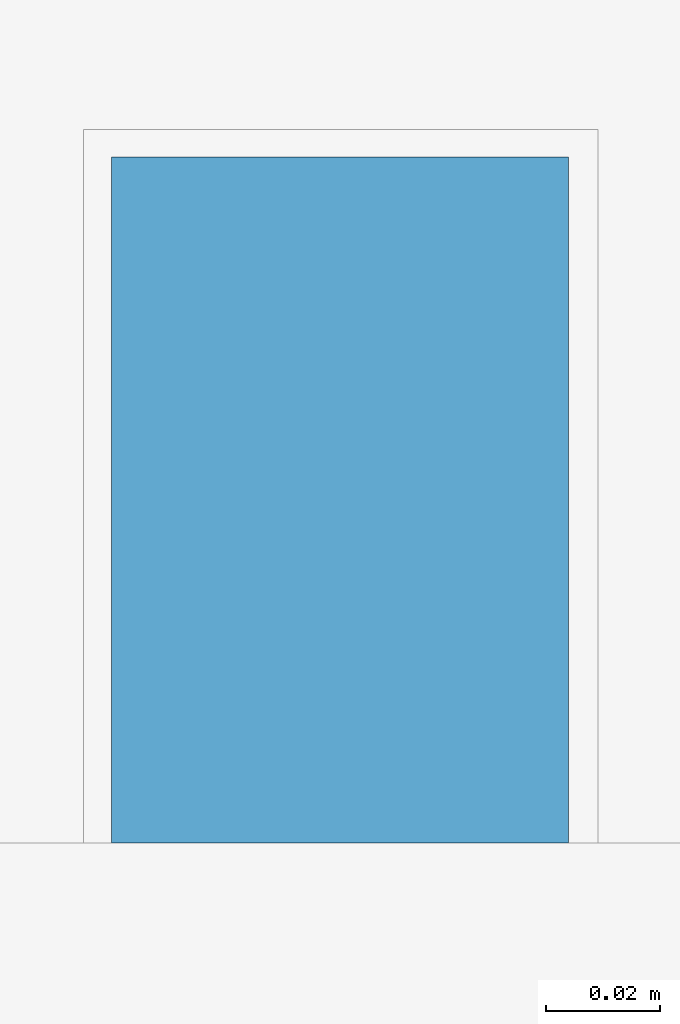
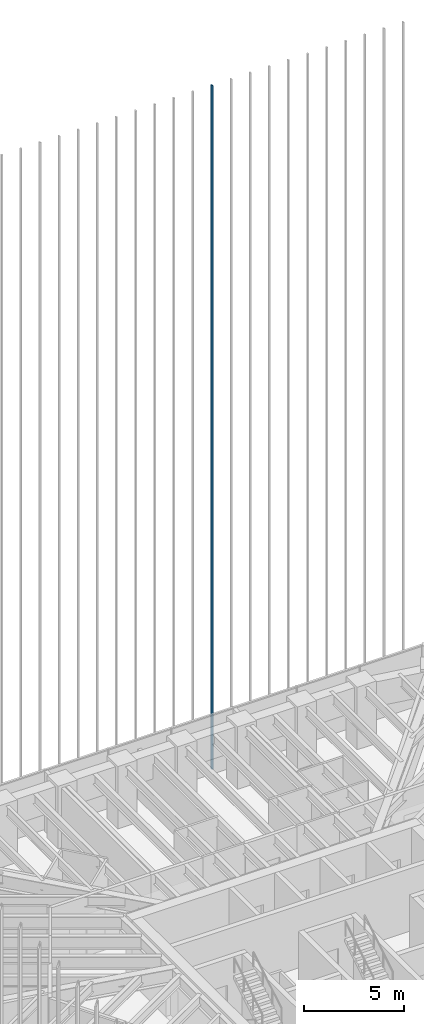
# One storey, part 92 of 127: 1 member, 1 element without a shape of its own.
"""IFC4 building model written with IfcOpenShell, lengths in metres."""

from ifc_helpers import new_model, si_unit, direction, frame, origin, origin_2d, place, context, subcontext, project, spatial, rectangle, extrude, material, material_profile, profile_set, type_object, element, aggregate, save


model = new_model("IFC4")

# Units and contexts
model_context = context("Model", 3, precision=1e-05, world=origin(), true_north=direction((0.0, 1.0)))
body_context = subcontext(model_context, "Body", "Model", "MODEL_VIEW")
ifc_project = project(units=[si_unit("LENGTHUNIT", "METRE"), si_unit("AREAUNIT", "SQUARE_METRE"), si_unit("VOLUMEUNIT", "CUBIC_METRE"), si_unit("PLANEANGLEUNIT", "RADIAN"), si_unit("MASSUNIT", "GRAM", prefix="KILO")], contexts=[model_context])

# Site, building, storey
site_placement = place(None, origin())
site = spatial("IfcSite", under=ifc_project, at=site_placement, CompositionType="ELEMENT")
building_placement = place(site_placement, origin())
building = spatial("IfcBuilding", under=site, at=building_placement, Name="Sandreach Pilgrim Tower", CompositionType="ELEMENT")
storey_placement = place(building_placement, frame((0.0, 0.0, 257.0)))
storey = spatial("IfcBuildingStorey", under=building, at=storey_placement, Name="L64", CompositionType="ELEMENT", Elevation=257.0)

# Curtain wall, member
ifc_material_1 = material(Name="Aluminium framed curtain wall", Category="aluminium")
curtain_wall_type = type_object("IfcCurtainWallType", Name="Suite tower curtain wall", PredefinedType="NOTDEFINED", material=ifc_material_1)
curtain_wall_placement = place(storey_placement, origin())
curtain_wall = element("IfcCurtainWall", 1, at=curtain_wall_placement, inside=storey, type_object=curtain_wall_type, Name="CW-4 L64 N", PredefinedType="NOTDEFINED")
ifc_material_2 = material(Name="Extruded terracotta on aluminium core", Category="masonry")
ifc_material_profile = material_profile(ifc_material_2, rectangle(XDim=0.080078125, YDim=0.1201171875, at=origin_2d()), Name="TBN 80X120")
ifc_profile_set = profile_set([ifc_material_profile], Name="Extruded terracotta on aluminium core")
member_type = type_object("IfcMemberType", Name="Terracotta baguette north", PredefinedType="USERDEFINED", material=ifc_profile_set)
member_placement = place(storey_placement, frame((4.401611328125, 20.1865234375, 0.0), z_axis=(0.0, 0.0, 1.0), x_axis=(1.0, 0.0, 0.0)))
member = element("IfcMember", 2, at=member_placement, type_object=member_type, Name="Baguette Z4 N19", ObjectType="BAGUETTE", PredefinedType="USERDEFINED", context=body_context, shape_type="SweptSolid", body=[
    extrude(rectangle(XDim=0.080078125, YDim=0.1201171875, at=origin_2d()), origin(), (0.0, 0.0, 1.0), 41.639892578125),
])
aggregate(curtain_wall, [member])

save(model, "model.ifc")
